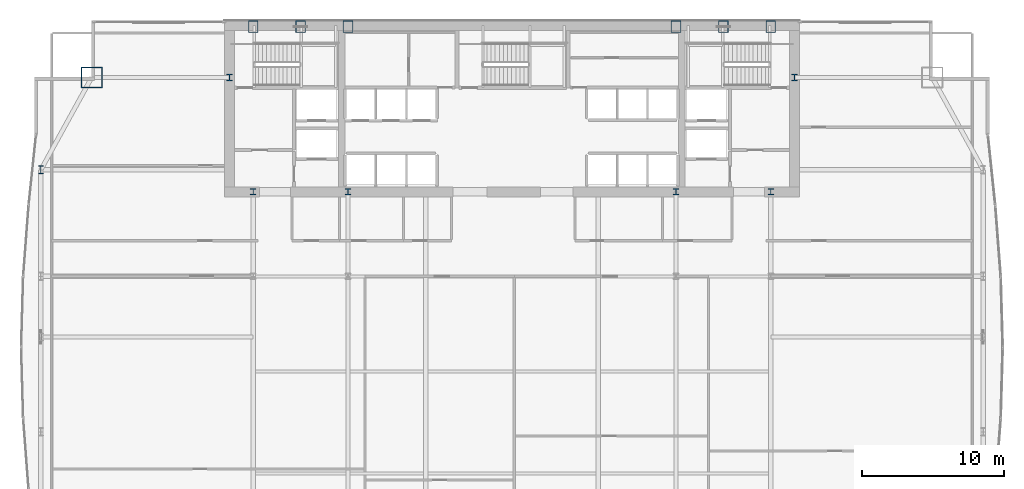
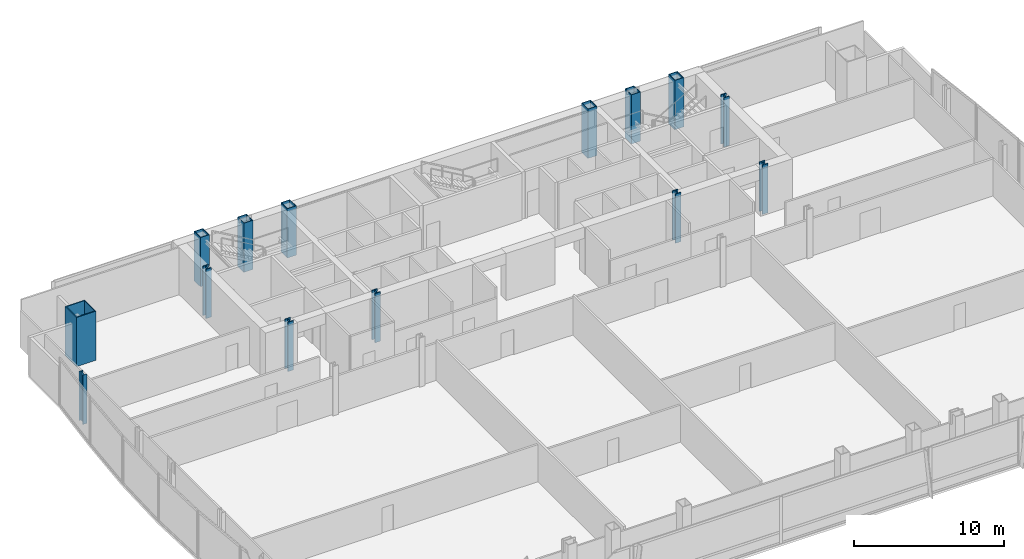
# One storey, part 3 of 30: 14 columns.
"""IFC4 building model written with IfcOpenShell, lengths in metres."""

from ifc_helpers import new_model, si_unit, direction, frame, origin, origin_2d, place, context, subcontext, project, spatial, hollow_rectangle, i_section, extrude, material, material_profile, profile_set, type_object, element, save


model = new_model("IFC4")

# Units and contexts
model_context = context("Model", 3, precision=1e-05, world=origin(), true_north=direction((0.0, 1.0)))
body_context = subcontext(model_context, "Body", "Model", "MODEL_VIEW")
ifc_project = project(units=[si_unit("LENGTHUNIT", "METRE"), si_unit("AREAUNIT", "SQUARE_METRE"), si_unit("VOLUMEUNIT", "CUBIC_METRE"), si_unit("PLANEANGLEUNIT", "RADIAN"), si_unit("MASSUNIT", "GRAM", prefix="KILO")], contexts=[model_context])

# Site, building, storey
site_placement = place(None, origin())
site = spatial("IfcSite", under=ifc_project, at=site_placement, CompositionType="ELEMENT")
building_placement = place(site_placement, origin())
building = spatial("IfcBuilding", under=site, at=building_placement, Name="Khoronbel Lancet Exchange", CompositionType="ELEMENT")
storey_placement = place(building_placement, frame((0.0, 0.0, 90.60009765625)))
storey = spatial("IfcBuildingStorey", under=building, at=storey_placement, Name="L21", CompositionType="ELEMENT", Elevation=90.60009765625)

# Columns
ifc_material_1 = material(Name="Steel S460", Category="steel")
ifc_material_profile_1 = material_profile(ifc_material_1, hollow_rectangle(XDim=0.699951171875, YDim=0.85009765625, WallThickness=0.050048828125, at=origin_2d()), Name="BOX 850x700x50")
ifc_profile_set_1 = profile_set([ifc_material_profile_1], Name="Steel S460")
column_type_1 = type_object("IfcColumnType", Name="COL-EC2", PredefinedType="COLUMN", material=ifc_profile_set_1)
for number, where, z_axis, x_axis, name in (
    (1, (18.22509765625, 53.280029296875, 0.0), (0.0, 0.0, 1.0), (1.0, 0.0, 0.0), "Structural column NC-W1 L21"),
    (2, (21.5625, 53.280029296875, 0.0), (0.0, 0.0, 1.0), (1.0, 0.0, 0.0), "Structural column NC-WM L21"),
    (3, (24.89990234375, 53.280029296875, 0.0), (0.0, 0.0, 1.0), (1.0, 0.0, 0.0), "Structural column NC-W2 L21"),
    (4, (48.0, 53.280029296875, 0.0), (0.0, 0.0, 1.0), (1.0, 0.0, 0.0), "Structural column NC-E1 L21"),
    (5, (51.33740234375, 53.280029296875, 0.0), (0.0, 0.0, 1.0), (1.0, 0.0, 0.0), "Structural column NC-EM L21"),
    (6, (54.675048828125, 53.280029296875, 0.0), (0.0, 0.0, 1.0), (1.0, 0.0, 0.0), "Structural column NC-E2 L21"),
):
    element("IfcColumn", number, at=place(storey_placement, frame(where, z_axis=z_axis, x_axis=x_axis)), inside=storey, type_object=column_type_1, Name=name, PredefinedType="COLUMN", context=body_context, shape_type="SweptSolid", body=[
        extrude(hollow_rectangle(XDim=0.699951171875, YDim=0.85009765625, WallThickness=0.050048828125, at=origin_2d()), origin(), (0.0, 0.0, 1.0), 4.0),
    ])
ifc_material_profile_2 = material_profile(ifc_material_1, i_section(OverallWidth=0.424072265625, OverallDepth=0.47412109375, WebThickness=0.047607421875, FlangeThickness=0.076904296875, at=origin_2d()), Name="HD 400x634")
ifc_profile_set_2 = profile_set([ifc_material_profile_2], Name="Steel S460")
column_type_2 = type_object("IfcColumnType", Name="COL-IC1", PredefinedType="COLUMN", material=ifc_profile_set_2)
for number, where, z_axis, x_axis, name in (
    (7, (16.550048828125, 49.699951171875, 0.0), (0.0, 0.0, 1.0), (1.0, 0.0, 0.0), "Core-flank plumb transfer column CFW L21"),
    (8, (56.35009765625, 49.699951171875, 0.0), (0.0, 0.0, 1.0), (1.0, 0.0, 0.0), "Core-flank plumb transfer column CFE L21"),
    (9, (18.22509765625, 41.64990234375, 0.0), (0.0, 0.0, 1.0), (1.0, 0.0, 0.0), "Core-embedded steel column CTC1 L21"),
    (10, (24.89990234375, 41.64990234375, 0.0), (0.0, 0.0, 1.0), (1.0, 0.0, 0.0), "Core-embedded steel column CTC2 L21"),
    (11, (48.0, 41.64990234375, 0.0), (0.0, 0.0, 1.0), (1.0, 0.0, 0.0), "Core-embedded steel column CTC3 L21"),
    (12, (54.675048828125, 41.64990234375, 0.0), (0.0, 0.0, 1.0), (1.0, 0.0, 0.0), "Core-embedded steel column CTC4 L21"),
):
    element("IfcColumn", number, at=place(storey_placement, frame(where, z_axis=z_axis, x_axis=x_axis)), inside=storey, type_object=column_type_2, Name=name, PredefinedType="COLUMN", context=body_context, shape_type="SweptSolid", body=[
        extrude(i_section(OverallWidth=0.424072265625, OverallDepth=0.47412109375, WebThickness=0.047607421875, FlangeThickness=0.076904296875, at=origin_2d()), origin(), (0.0, 0.0, 1.0), 4.0),
    ])
ifc_material_2 = material(Name="Steel S355", Category="steel")
ifc_material_profile_3 = material_profile(ifc_material_2, i_section(OverallWidth=0.300048828125, OverallDepth=0.550048828125, WebThickness=0.014892578125, FlangeThickness=0.029052734375, at=origin_2d()), Name="HEB 550")
ifc_profile_set_3 = profile_set([ifc_material_profile_3], Name="Steel S355")
column_type_3 = type_object("IfcColumnType", Name="COL-LC1", PredefinedType="COLUMN", material=ifc_profile_set_3)
column_1_placement = place(storey_placement, frame((3.27001953125, 43.199951171875, 0.0), z_axis=(0.0, 0.0, 1.0), x_axis=(1.0, 0.0, 0.0)))
element("IfcColumn", 13, at=column_1_placement, inside=storey, type_object=column_type_3, Name="Structural column WC-4 L21", PredefinedType="COLUMN", context=body_context, shape_type="SweptSolid", body=[
    extrude(i_section(OverallWidth=0.300048828125, OverallDepth=0.550048828125, WebThickness=0.014892578125, FlangeThickness=0.029052734375, at=origin_2d()), origin(), (0.0, 0.0, 1.0), 4.0),
])
ifc_material_profile_4 = material_profile(ifc_material_1, hollow_rectangle(XDim=1.5, YDim=1.5, WallThickness=0.070068359375, at=origin_2d()), Name="BOX 1500x1500x70")
ifc_profile_set_4 = profile_set([ifc_material_profile_4], Name="Steel S460")
column_type_4 = type_object("IfcColumnType", Name="COL-MC3", PredefinedType="COLUMN", material=ifc_profile_set_4)
column_2_placement = place(storey_placement, frame((6.85009765625, 49.699951171875, 0.0), z_axis=(0.0, 0.0, 1.0), x_axis=(1.0, 0.0, 0.0)))
element("IfcColumn", 14, at=column_2_placement, inside=storey, type_object=column_type_4, Name="Structural column MC-NW L21", PredefinedType="COLUMN", context=body_context, shape_type="SweptSolid", body=[
    extrude(hollow_rectangle(XDim=1.5, YDim=1.5, WallThickness=0.070068359375, at=origin_2d()), origin(), (0.0, 0.0, 1.0), 4.0),
])

save(model, "model.ifc")
